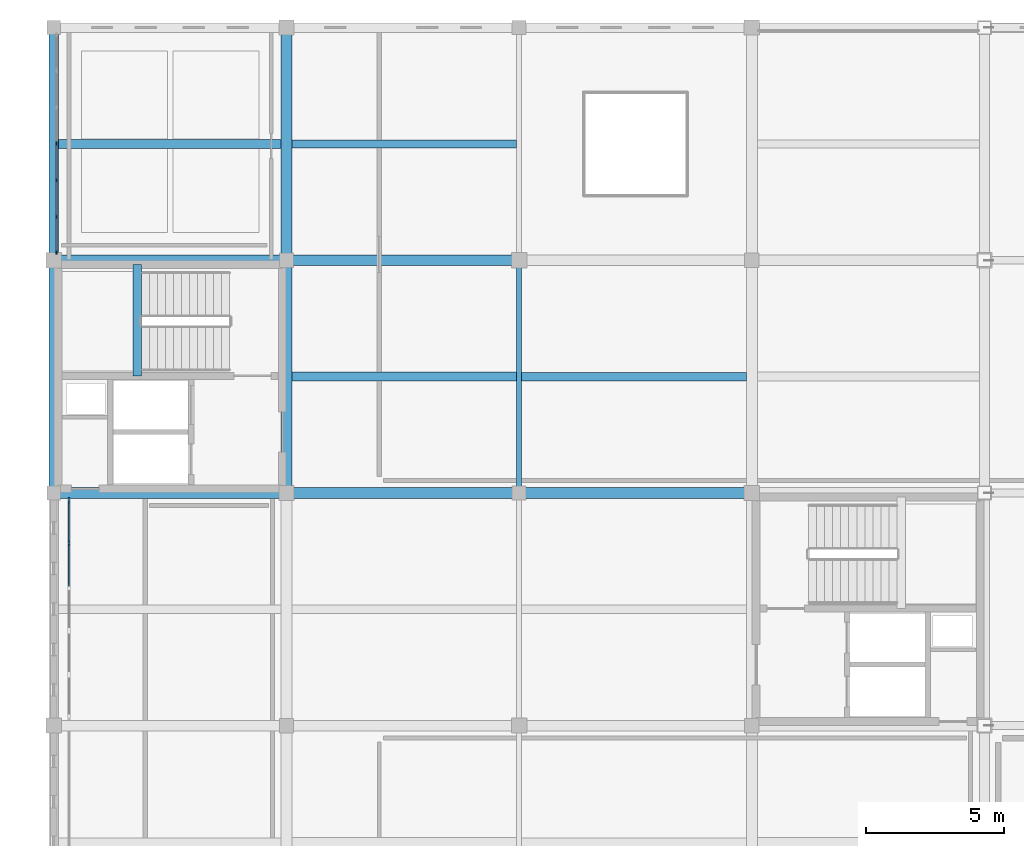
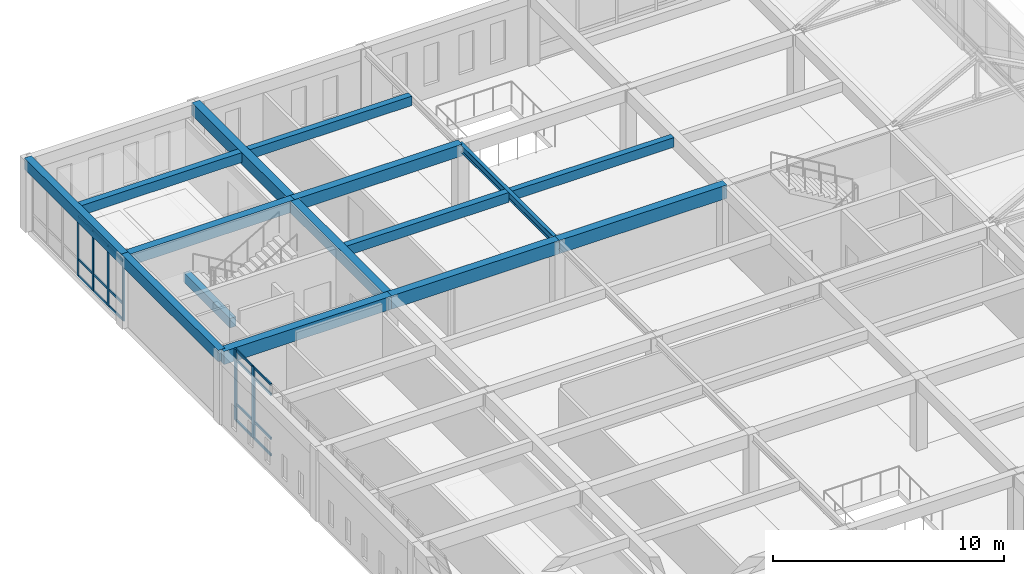
# One storey, part 14 of 36: 23 members, 15 beams, 2 elements without a shape of their own.
"""IFC4 building model written with IfcOpenShell, lengths in metres."""

from ifc_helpers import new_model, si_unit, direction, frame, origin, origin_2d, place, context, subcontext, project, spatial, rectangle, i_section, extrude, material, layer, layer_set, material_profile, profile_set, type_object, element, aggregate, save


model = new_model("IFC4")

# Units and contexts
model_context = context("Model", 3, precision=1e-05, world=origin(), true_north=direction((0.0, 1.0)))
body_context = subcontext(model_context, "Body", "Model", "MODEL_VIEW")
ifc_project = project(units=[si_unit("LENGTHUNIT", "METRE"), si_unit("AREAUNIT", "SQUARE_METRE"), si_unit("VOLUMEUNIT", "CUBIC_METRE"), si_unit("PLANEANGLEUNIT", "RADIAN"), si_unit("MASSUNIT", "GRAM", prefix="KILO")], contexts=[model_context])

# Site, building, storey
site_placement = place(None, origin())
site = spatial("IfcSite", under=ifc_project, at=site_placement, CompositionType="ELEMENT")
building_placement = place(site_placement, origin())
building = spatial("IfcBuilding", under=site, at=building_placement, Name="Kveldsbrygga Polytechnic", CompositionType="ELEMENT")
storey_placement = place(building_placement, frame((0.0, 0.0, 22.10009765625)))
storey = spatial("IfcBuildingStorey", under=building, at=storey_placement, Name="L05", CompositionType="ELEMENT", Elevation=22.10009765625)

# Beams
ifc_material_1 = material(Name="Concrete C35/45", Category="concrete")
ifc_material_profile_1 = material_profile(ifc_material_1, rectangle(XDim=0.3798828125, YDim=0.6201171875, at=origin_2d()), Name="RC 380x620")
ifc_profile_set_1 = profile_set([ifc_material_profile_1], Name="Concrete C35/45")
beam_type_1 = type_object("IfcBeamType", Name="BM-RC-380x620", PredefinedType="BEAM", material=ifc_profile_set_1)
beam_1_placement = place(storey_placement, frame((126.0, 92.39990234375, 3.469970703125), z_axis=(1.0, 0.0, 0.0), x_axis=(0.0, 1.0, 0.0)))
element("IfcBeam", 1, at=beam_1_placement, inside=storey, type_object=beam_type_1, Name="Primary Beam BMX-L05-15to16-11", PredefinedType="BEAM", context=body_context, shape_type="SweptSolid", body=[
    extrude(rectangle(XDim=0.3798828125, YDim=0.6201171875, at=origin_2d()), origin(), (0.0, 0.0, 1.0), 8.39990234375),
])
beam_2_placement = place(storey_placement, frame((134.39990234375, 92.39990234375, 3.469970703125), z_axis=(1.0, 0.0, 0.0), x_axis=(0.0, 1.0, 0.0)))
element("IfcBeam", 2, at=beam_2_placement, inside=storey, type_object=beam_type_1, Name="Primary Beam BMX-L05-16to17-11", PredefinedType="BEAM", context=body_context, shape_type="SweptSolid", body=[
    extrude(rectangle(XDim=0.3798828125, YDim=0.6201171875, at=origin_2d()), origin(), (0.0, 0.0, 1.0), 8.400146484375),
])
ifc_material_profile_2 = material_profile(ifc_material_1, rectangle(XDim=0.39990234375, YDim=0.64990234375, at=origin_2d()), Name="RC 400x650")
ifc_profile_set_2 = profile_set([ifc_material_profile_2], Name="Concrete C35/45")
beam_type_2 = type_object("IfcBeamType", Name="BM-RC-400x650", PredefinedType="BEAM", material=ifc_profile_set_2)
beam_3_placement = place(storey_placement, frame((134.39990234375, 84.0, 3.454833984375), z_axis=(0.0, 1.0, 0.0), x_axis=(-1.0, 0.0, 0.0)))
element("IfcBeam", 3, at=beam_3_placement, inside=storey, type_object=beam_type_2, Name="Primary Beam BMY-L05-16-10to11", PredefinedType="BEAM", context=body_context, shape_type="SweptSolid", body=[
    extrude(rectangle(XDim=0.39990234375, YDim=0.64990234375, at=origin_2d()), origin(), (0.0, 0.0, 1.0), 8.39990234375),
])
beam_4_placement = place(storey_placement, frame((134.39990234375, 92.39990234375, 3.454833984375), z_axis=(0.0, 1.0, 0.0), x_axis=(-1.0, 0.0, 0.0)))
element("IfcBeam", 4, at=beam_4_placement, inside=storey, type_object=beam_type_2, Name="Primary Beam BMY-L05-16-11to12", PredefinedType="BEAM", context=body_context, shape_type="SweptSolid", body=[
    extrude(rectangle(XDim=0.39990234375, YDim=0.64990234375, at=origin_2d()), origin(), (0.0, 0.0, 1.0), 8.400146484375),
])
ifc_material_profile_3 = material_profile(ifc_material_1, rectangle(XDim=0.39990234375, YDim=0.699951171875, at=origin_2d()), Name="RC 400x700")
ifc_profile_set_3 = profile_set([ifc_material_profile_3], Name="Concrete C35/45")
beam_type_3 = type_object("IfcBeamType", Name="BM-RC-400x700", PredefinedType="BEAM", material=ifc_profile_set_3)
beam_5_placement = place(storey_placement, frame((126.0, 84.0, 3.429931640625), z_axis=(1.0, 0.0, 0.0), x_axis=(0.0, 1.0, 0.0)))
element("IfcBeam", 5, at=beam_5_placement, inside=storey, type_object=beam_type_3, Name="Primary Beam BMX-L05-15to16-10", PredefinedType="BEAM", context=body_context, shape_type="SweptSolid", body=[
    extrude(rectangle(XDim=0.39990234375, YDim=0.699951171875, at=origin_2d()), origin(), (0.0, 0.0, 1.0), 8.39990234375),
])
beam_6_placement = place(storey_placement, frame((134.39990234375, 84.0, 3.429931640625), z_axis=(1.0, 0.0, 0.0), x_axis=(0.0, 1.0, 0.0)))
element("IfcBeam", 6, at=beam_6_placement, inside=storey, type_object=beam_type_3, Name="Primary Beam BMX-L05-16to17-10", PredefinedType="BEAM", context=body_context, shape_type="SweptSolid", body=[
    extrude(rectangle(XDim=0.39990234375, YDim=0.699951171875, at=origin_2d()), origin(), (0.0, 0.0, 1.0), 8.400146484375),
])
beam_7_placement = place(storey_placement, frame((142.800048828125, 84.0, 3.429931640625), z_axis=(1.0, 0.0, 0.0), x_axis=(0.0, 1.0, 0.0)))
element("IfcBeam", 7, at=beam_7_placement, inside=storey, type_object=beam_type_3, Name="Primary Beam BMX-L05-17to18-10", PredefinedType="BEAM", context=body_context, shape_type="SweptSolid", body=[
    extrude(rectangle(XDim=0.39990234375, YDim=0.699951171875, at=origin_2d()), origin(), (0.0, 0.0, 1.0), 8.39990234375),
])
ifc_material_profile_4 = material_profile(ifc_material_1, rectangle(XDim=0.35009765625, YDim=0.60009765625, at=origin_2d()), Name="RC 350x600")
ifc_profile_set_4 = profile_set([ifc_material_profile_4], Name="Concrete C35/45")
beam_type_4 = type_object("IfcBeamType", Name="BM-SPANDREL-600", PredefinedType="T_BEAM", material=ifc_profile_set_4)
beam_8_placement = place(storey_placement, frame((126.0, 84.0, 3.47998046875), z_axis=(0.0, 1.0, 0.0), x_axis=(-1.0, 0.0, 0.0)))
element("IfcBeam", 8, at=beam_8_placement, inside=storey, type_object=beam_type_4, Name="Primary Beam BMY-L05-15-10to11", PredefinedType="T_BEAM", context=body_context, shape_type="SweptSolid", body=[
    extrude(rectangle(XDim=0.35009765625, YDim=0.60009765625, at=origin_2d()), origin(), (0.0, 0.0, 1.0), 8.39990234375),
])
beam_9_placement = place(storey_placement, frame((126.0, 92.39990234375, 3.47998046875), z_axis=(0.0, 1.0, 0.0), x_axis=(-1.0, 0.0, 0.0)))
element("IfcBeam", 9, at=beam_9_placement, inside=storey, type_object=beam_type_4, Name="Primary Beam BMY-L05-15-11to12", PredefinedType="T_BEAM", context=body_context, shape_type="SweptSolid", body=[
    extrude(rectangle(XDim=0.35009765625, YDim=0.60009765625, at=origin_2d()), origin(), (0.0, 0.0, 1.0), 8.400146484375),
])
ifc_material_2 = material(Name="Steel S355", Category="steel")
ifc_material_profile_5 = material_profile(ifc_material_2, i_section(OverallWidth=0.179931640625, OverallDepth=0.39990234375, WebThickness=0.008544921875, FlangeThickness=0.013427734375, FilletRadius=0.02099609375, at=origin_2d()), Name="IPE 400")
ifc_profile_set_5 = profile_set([ifc_material_profile_5], Name="Steel S355")
beam_type_5 = type_object("IfcBeamType", Name="BM-STL-IPE400", PredefinedType="BEAM", material=ifc_profile_set_5)
beam_10_placement = place(storey_placement, frame((142.800048828125, 84.0, 3.579833984375), z_axis=(0.0, 1.0, 0.0), x_axis=(-1.0, 0.0, 0.0)))
element("IfcBeam", 10, at=beam_10_placement, inside=storey, type_object=beam_type_5, Name="Primary Beam BMY-L05-17-10to11", PredefinedType="BEAM", context=body_context, shape_type="SweptSolid", body=[
    extrude(i_section(OverallWidth=0.179931640625, OverallDepth=0.39990234375, WebThickness=0.008544921875, FlangeThickness=0.013427734375, FilletRadius=0.02099609375, at=origin_2d()), origin(), (0.0, 0.0, 1.0), 8.39990234375),
])

# Curtain wall, members
ifc_material_3 = material(Name="Anodised aluminium AW-6060", Category="aluminium")
ifc_layer_1 = layer(ifc_material_3, 0.179931640625)
ifc_layer_set_1 = layer_set([ifc_layer_1], Name="Anodised aluminium AW-6060")
curtain_wall_type_1 = type_object("IfcCurtainWallType", Name="CW-CONC-A", PredefinedType="USERDEFINED", material=ifc_layer_set_1)
curtain_wall_1_placement = place(storey_placement, origin())
curtain_wall_1 = element("IfcCurtainWall", 11, at=curtain_wall_1_placement, inside=storey, type_object=curtain_wall_type_1, Name="Curtain Wall CW-L05-Y-15-11", ObjectType="UNITISED CURTAIN WALL", PredefinedType="USERDEFINED")
ifc_material_profile_6 = material_profile(ifc_material_3, rectangle(XDim=0.06005859375, YDim=0.139892578125, at=origin_2d()), Name="ALU 60x140")
ifc_profile_set_6 = profile_set([ifc_material_profile_6], Name="Anodised aluminium AW-6060")
member_type_1 = type_object("IfcMemberType", Name="CW-MUL-140", PredefinedType="MULLION", material=ifc_profile_set_6)
member_1_placement = place(storey_placement, frame((126.10009765625, 92.68994140625, 0.0), z_axis=(0.0, 0.0, 1.0), x_axis=(-1.0, 0.0, 0.0)))
member_1 = element("IfcMember", 12, at=member_1_placement, type_object=member_type_1, Name="CW-01 mullion 1", PredefinedType="MULLION", context=body_context, shape_type="SweptSolid", body=[
    extrude(rectangle(XDim=0.06005859375, YDim=0.139892578125, at=origin_2d()), origin(), (0.0, 0.0, 1.0), 3.179931640625),
])
member_2_placement = place(storey_placement, frame((126.10009765625, 93.9775390625, 0.0), z_axis=(0.0, 0.0, 1.0), x_axis=(-1.0, 0.0, 0.0)))
member_2 = element("IfcMember", 13, at=member_2_placement, type_object=member_type_1, Name="CW-01 mullion 2", PredefinedType="MULLION", context=body_context, shape_type="SweptSolid", body=[
    extrude(rectangle(XDim=0.06005859375, YDim=0.139892578125, at=origin_2d()), origin(), (0.0, 0.0, 1.0), 3.179931640625),
])
member_3_placement = place(storey_placement, frame((126.10009765625, 95.294921875, 0.0), z_axis=(0.0, 0.0, 1.0), x_axis=(-1.0, 0.0, 0.0)))
member_3 = element("IfcMember", 14, at=member_3_placement, type_object=member_type_1, Name="CW-01 mullion 3", PredefinedType="MULLION", context=body_context, shape_type="SweptSolid", body=[
    extrude(rectangle(XDim=0.06005859375, YDim=0.139892578125, at=origin_2d()), origin(), (0.0, 0.0, 1.0), 3.179931640625),
])
member_4_placement = place(storey_placement, frame((126.10009765625, 96.612548828125, 0.0), z_axis=(0.0, 0.0, 1.0), x_axis=(-1.0, 0.0, 0.0)))
member_4 = element("IfcMember", 15, at=member_4_placement, type_object=member_type_1, Name="CW-01 mullion 4", PredefinedType="MULLION", context=body_context, shape_type="SweptSolid", body=[
    extrude(rectangle(XDim=0.06005859375, YDim=0.139892578125, at=origin_2d()), origin(), (0.0, 0.0, 1.0), 3.179931640625),
])

ifc_layer_2 = layer(ifc_material_3, 0.18994140625)
ifc_layer_set_2 = layer_set([ifc_layer_2], Name="Anodised aluminium AW-6060")
curtain_wall_type_2 = type_object("IfcCurtainWallType", Name="CW-REFC-G", PredefinedType="USERDEFINED", material=ifc_layer_set_2)
curtain_wall_2_placement = place(storey_placement, origin())
curtain_wall_2 = element("IfcCurtainWall", 16, at=curtain_wall_2_placement, inside=storey, type_object=curtain_wall_type_2, Name="Curtain Wall CW-L05-Y-15-09", ObjectType="UNITISED CURTAIN WALL", PredefinedType="USERDEFINED")
ifc_material_profile_7 = material_profile(ifc_material_3, rectangle(XDim=0.074951171875, YDim=0.199951171875, at=origin_2d()), Name="ALU 75x200")
ifc_profile_set_7 = profile_set([ifc_material_profile_7], Name="Anodised aluminium AW-6060")
member_type_2 = type_object("IfcMemberType", Name="CW-MUL-200", PredefinedType="MULLION", material=ifc_profile_set_7)
member_5_placement = place(storey_placement, frame((126.550048828125, 82.18408203125, 0.0), z_axis=(0.0, 0.0, 1.0), x_axis=(-1.0, 0.0, 0.0)))
member_5 = element("IfcMember", 17, at=member_5_placement, type_object=member_type_2, Name="CW-07 mullion 5", PredefinedType="MULLION", context=body_context, shape_type="SweptSolid", body=[
    extrude(rectangle(XDim=0.074951171875, YDim=0.199951171875, at=origin_2d()), origin(), (0.0, 0.0, 1.0), 3.77978515625),
])
member_6_placement = place(storey_placement, frame((126.550048828125, 83.7275390625, 0.0), z_axis=(0.0, 0.0, 1.0), x_axis=(-1.0, 0.0, 0.0)))
member_6 = element("IfcMember", 18, at=member_6_placement, type_object=member_type_2, Name="CW-07 mullion 6", PredefinedType="MULLION", context=body_context, shape_type="SweptSolid", body=[
    extrude(rectangle(XDim=0.074951171875, YDim=0.199951171875, at=origin_2d()), origin(), (0.0, 0.0, 1.0), 3.77978515625),
])
ifc_material_profile_8 = material_profile(ifc_material_3, rectangle(XDim=0.06005859375, YDim=0.1201171875, at=origin_2d()), Name="ALU 60x120")
ifc_profile_set_8 = profile_set([ifc_material_profile_8], Name="Anodised aluminium AW-6060")
member_type_3 = type_object("IfcMemberType", Name="CW-TRN-120", PredefinedType="USERDEFINED", material=ifc_profile_set_8)
member_7_placement = place(storey_placement, frame((126.550048828125, 80.640380859375, 0.02978515625), z_axis=(0.0, 1.0, 0.0), x_axis=(-1.0, 0.0, 0.0)))
member_7 = element("IfcMember", 19, at=member_7_placement, type_object=member_type_3, Name="CW-07 transom 4.1", ObjectType="TRANSOM", PredefinedType="USERDEFINED", context=body_context, shape_type="SweptSolid", body=[
    extrude(rectangle(XDim=0.06005859375, YDim=0.1201171875, at=origin_2d()), origin(), (0.0, 0.0, 1.0), 1.506103515625),
])
member_8_placement = place(storey_placement, frame((126.550048828125, 80.640380859375, 0.89990234375), z_axis=(0.0, 1.0, 0.0), x_axis=(-1.0, 0.0, 0.0)))
member_8 = element("IfcMember", 20, at=member_8_placement, type_object=member_type_3, Name="CW-07 transom 4.2", ObjectType="TRANSOM", PredefinedType="USERDEFINED", context=body_context, shape_type="SweptSolid", body=[
    extrude(rectangle(XDim=0.06005859375, YDim=0.1201171875, at=origin_2d()), origin(), (0.0, 0.0, 1.0), 1.506103515625),
])
member_9_placement = place(storey_placement, frame((126.550048828125, 80.640380859375, 3.22998046875), z_axis=(0.0, 1.0, 0.0), x_axis=(-1.0, 0.0, 0.0)))
member_9 = element("IfcMember", 21, at=member_9_placement, type_object=member_type_3, Name="CW-07 transom 4.3", ObjectType="TRANSOM", PredefinedType="USERDEFINED", context=body_context, shape_type="SweptSolid", body=[
    extrude(rectangle(XDim=0.06005859375, YDim=0.1201171875, at=origin_2d()), origin(), (0.0, 0.0, 1.0), 1.506103515625),
])
member_10_placement = place(storey_placement, frame((126.550048828125, 80.640380859375, 3.75), z_axis=(0.0, 1.0, 0.0), x_axis=(-1.0, 0.0, 0.0)))
member_10 = element("IfcMember", 22, at=member_10_placement, type_object=member_type_3, Name="CW-07 transom 4.4", ObjectType="TRANSOM", PredefinedType="USERDEFINED", context=body_context, shape_type="SweptSolid", body=[
    extrude(rectangle(XDim=0.06005859375, YDim=0.1201171875, at=origin_2d()), origin(), (0.0, 0.0, 1.0), 1.506103515625),
])
member_11_placement = place(storey_placement, frame((126.550048828125, 82.221435546875, 0.02978515625), z_axis=(0.0, 1.0, 0.0), x_axis=(-1.0, 0.0, 0.0)))
member_11 = element("IfcMember", 23, at=member_11_placement, type_object=member_type_3, Name="CW-07 transom 5.1", ObjectType="TRANSOM", PredefinedType="USERDEFINED", context=body_context, shape_type="SweptSolid", body=[
    extrude(rectangle(XDim=0.06005859375, YDim=0.1201171875, at=origin_2d()), origin(), (0.0, 0.0, 1.0), 1.468505859375),
])
member_12_placement = place(storey_placement, frame((126.550048828125, 82.221435546875, 0.89990234375), z_axis=(0.0, 1.0, 0.0), x_axis=(-1.0, 0.0, 0.0)))
member_12 = element("IfcMember", 24, at=member_12_placement, type_object=member_type_3, Name="CW-07 transom 5.2", ObjectType="TRANSOM", PredefinedType="USERDEFINED", context=body_context, shape_type="SweptSolid", body=[
    extrude(rectangle(XDim=0.06005859375, YDim=0.1201171875, at=origin_2d()), origin(), (0.0, 0.0, 1.0), 1.468505859375),
])
member_13_placement = place(storey_placement, frame((126.550048828125, 82.221435546875, 3.22998046875), z_axis=(0.0, 1.0, 0.0), x_axis=(-1.0, 0.0, 0.0)))
member_13 = element("IfcMember", 25, at=member_13_placement, type_object=member_type_3, Name="CW-07 transom 5.3", ObjectType="TRANSOM", PredefinedType="USERDEFINED", context=body_context, shape_type="SweptSolid", body=[
    extrude(rectangle(XDim=0.06005859375, YDim=0.1201171875, at=origin_2d()), origin(), (0.0, 0.0, 1.0), 1.468505859375),
])
member_14_placement = place(storey_placement, frame((126.550048828125, 82.221435546875, 3.75), z_axis=(0.0, 1.0, 0.0), x_axis=(-1.0, 0.0, 0.0)))
member_14 = element("IfcMember", 26, at=member_14_placement, type_object=member_type_3, Name="CW-07 transom 5.4", ObjectType="TRANSOM", PredefinedType="USERDEFINED", context=body_context, shape_type="SweptSolid", body=[
    extrude(rectangle(XDim=0.06005859375, YDim=0.1201171875, at=origin_2d()), origin(), (0.0, 0.0, 1.0), 1.468505859375),
])
aggregate(curtain_wall_2, [member_5, member_6, member_7, member_8, member_9, member_10, member_11, member_12, member_13, member_14])

# Member
member_15_placement = place(storey_placement, frame((126.10009765625, 92.719970703125, 0.02978515625), z_axis=(0.0, 1.0, 0.0), x_axis=(-1.0, 0.0, 0.0)))
member_15 = element("IfcMember", 27, at=member_15_placement, type_object=member_type_3, Name="CW-01 transom 1.1", ObjectType="TRANSOM", PredefinedType="USERDEFINED", context=body_context, shape_type="SweptSolid", body=[
    extrude(rectangle(XDim=0.06005859375, YDim=0.1201171875, at=origin_2d()), origin(), (0.0, 0.0, 1.0), 1.2275390625),
])

member_16_placement = place(storey_placement, frame((126.10009765625, 92.719970703125, 0.89990234375), z_axis=(0.0, 1.0, 0.0), x_axis=(-1.0, 0.0, 0.0)))
member_16 = element("IfcMember", 28, at=member_16_placement, type_object=member_type_3, Name="CW-01 transom 1.2", ObjectType="TRANSOM", PredefinedType="USERDEFINED", context=body_context, shape_type="SweptSolid", body=[
    extrude(rectangle(XDim=0.06005859375, YDim=0.1201171875, at=origin_2d()), origin(), (0.0, 0.0, 1.0), 1.2275390625),
])

member_17_placement = place(storey_placement, frame((126.10009765625, 92.719970703125, 3.14990234375), z_axis=(0.0, 1.0, 0.0), x_axis=(-1.0, 0.0, 0.0)))
member_17 = element("IfcMember", 29, at=member_17_placement, type_object=member_type_3, Name="CW-01 transom 1.3", ObjectType="TRANSOM", PredefinedType="USERDEFINED", context=body_context, shape_type="SweptSolid", body=[
    extrude(rectangle(XDim=0.06005859375, YDim=0.1201171875, at=origin_2d()), origin(), (0.0, 0.0, 1.0), 1.2275390625),
])

member_18_placement = place(storey_placement, frame((126.10009765625, 94.007568359375, 0.02978515625), z_axis=(0.0, 1.0, 0.0), x_axis=(-1.0, 0.0, 0.0)))
member_18 = element("IfcMember", 30, at=member_18_placement, type_object=member_type_3, Name="CW-01 transom 2.1", ObjectType="TRANSOM", PredefinedType="USERDEFINED", context=body_context, shape_type="SweptSolid", body=[
    extrude(rectangle(XDim=0.06005859375, YDim=0.1201171875, at=origin_2d()), origin(), (0.0, 0.0, 1.0), 1.25732421875),
])

member_19_placement = place(storey_placement, frame((126.10009765625, 94.007568359375, 0.89990234375), z_axis=(0.0, 1.0, 0.0), x_axis=(-1.0, 0.0, 0.0)))
member_19 = element("IfcMember", 31, at=member_19_placement, type_object=member_type_3, Name="CW-01 transom 2.2", ObjectType="TRANSOM", PredefinedType="USERDEFINED", context=body_context, shape_type="SweptSolid", body=[
    extrude(rectangle(XDim=0.06005859375, YDim=0.1201171875, at=origin_2d()), origin(), (0.0, 0.0, 1.0), 1.25732421875),
])

member_20_placement = place(storey_placement, frame((126.10009765625, 94.007568359375, 3.14990234375), z_axis=(0.0, 1.0, 0.0), x_axis=(-1.0, 0.0, 0.0)))
member_20 = element("IfcMember", 32, at=member_20_placement, type_object=member_type_3, Name="CW-01 transom 2.3", ObjectType="TRANSOM", PredefinedType="USERDEFINED", context=body_context, shape_type="SweptSolid", body=[
    extrude(rectangle(XDim=0.06005859375, YDim=0.1201171875, at=origin_2d()), origin(), (0.0, 0.0, 1.0), 1.25732421875),
])

member_21_placement = place(storey_placement, frame((126.10009765625, 95.324951171875, 0.02978515625), z_axis=(0.0, 1.0, 0.0), x_axis=(-1.0, 0.0, 0.0)))
member_21 = element("IfcMember", 33, at=member_21_placement, type_object=member_type_3, Name="CW-01 transom 3.1", ObjectType="TRANSOM", PredefinedType="USERDEFINED", context=body_context, shape_type="SweptSolid", body=[
    extrude(rectangle(XDim=0.06005859375, YDim=0.1201171875, at=origin_2d()), origin(), (0.0, 0.0, 1.0), 1.257568359375),
])

member_22_placement = place(storey_placement, frame((126.10009765625, 95.324951171875, 0.89990234375), z_axis=(0.0, 1.0, 0.0), x_axis=(-1.0, 0.0, 0.0)))
member_22 = element("IfcMember", 34, at=member_22_placement, type_object=member_type_3, Name="CW-01 transom 3.2", ObjectType="TRANSOM", PredefinedType="USERDEFINED", context=body_context, shape_type="SweptSolid", body=[
    extrude(rectangle(XDim=0.06005859375, YDim=0.1201171875, at=origin_2d()), origin(), (0.0, 0.0, 1.0), 1.257568359375),
])

member_23_placement = place(storey_placement, frame((126.10009765625, 95.324951171875, 3.14990234375), z_axis=(0.0, 1.0, 0.0), x_axis=(-1.0, 0.0, 0.0)))
member_23 = element("IfcMember", 35, at=member_23_placement, type_object=member_type_3, Name="CW-01 transom 3.3", ObjectType="TRANSOM", PredefinedType="USERDEFINED", context=body_context, shape_type="SweptSolid", body=[
    extrude(rectangle(XDim=0.06005859375, YDim=0.1201171875, at=origin_2d()), origin(), (0.0, 0.0, 1.0), 1.257568359375),
])

aggregate(curtain_wall_1, [member_1, member_2, member_3, member_4, member_15, member_16, member_17, member_18, member_19, member_20, member_21, member_22, member_23])

# Beams
ifc_material_profile_9 = material_profile(ifc_material_1, rectangle(XDim=0.300048828125, YDim=0.5, at=origin_2d()), Name="RC 300x500")
ifc_profile_set_9 = profile_set([ifc_material_profile_9], Name="Concrete C35/45")
beam_type_6 = type_object("IfcBeamType", Name="JST-RC-300x500", PredefinedType="JOIST", material=ifc_profile_set_9)
beam_11_placement = place(storey_placement, frame((134.60009765625, 96.60009765625, 3.52978515625), z_axis=(1.0, 0.0, 0.0), x_axis=(0.0, 1.0, 0.0)))
element("IfcBeam", 36, at=beam_11_placement, inside=storey, type_object=beam_type_6, Name="Secondary Joist JST-L05-16-11", PredefinedType="JOIST", context=body_context, shape_type="SweptSolid", body=[
    extrude(rectangle(XDim=0.300048828125, YDim=0.5, at=origin_2d()), origin(), (0.0, 0.0, 1.0), 8.10986328125),
])
beam_12_placement = place(storey_placement, frame((142.889892578125, 88.199951171875, 3.52978515625), z_axis=(1.0, 0.0, 0.0), x_axis=(0.0, 1.0, 0.0)))
element("IfcBeam", 37, at=beam_12_placement, inside=storey, type_object=beam_type_6, Name="Secondary Joist JST-L05-17-10", PredefinedType="JOIST", context=body_context, shape_type="SweptSolid", body=[
    extrude(rectangle(XDim=0.300048828125, YDim=0.5, at=origin_2d()), origin(), (0.0, 0.0, 1.0), 8.110107421875),
])
ifc_material_profile_10 = material_profile(ifc_material_1, rectangle(XDim=0.320068359375, YDim=0.52001953125, at=origin_2d()), Name="RC 320x520")
ifc_profile_set_10 = profile_set([ifc_material_profile_10], Name="Concrete C35/45")
beam_type_7 = type_object("IfcBeamType", Name="JST-RC-320x520", PredefinedType="JOIST", material=ifc_profile_set_10)
beam_13_placement = place(storey_placement, frame((126.175048828125, 96.60009765625, 3.52001953125), z_axis=(1.0, 0.0, 0.0), x_axis=(0.0, 1.0, 0.0)))
element("IfcBeam", 38, at=beam_13_placement, inside=storey, type_object=beam_type_7, Name="Secondary Joist JST-L05-15-11", PredefinedType="JOIST", context=body_context, shape_type="SweptSolid", body=[
    extrude(rectangle(XDim=0.320068359375, YDim=0.52001953125, at=origin_2d()), origin(), (0.0, 0.0, 1.0), 8.02490234375),
])
beam_14_placement = place(storey_placement, frame((134.60009765625, 88.199951171875, 3.52001953125), z_axis=(1.0, 0.0, 0.0), x_axis=(0.0, 1.0, 0.0)))
element("IfcBeam", 39, at=beam_14_placement, inside=storey, type_object=beam_type_7, Name="Secondary Joist JST-L05-16-10", PredefinedType="JOIST", context=body_context, shape_type="SweptSolid", body=[
    extrude(rectangle(XDim=0.320068359375, YDim=0.52001953125, at=origin_2d()), origin(), (0.0, 0.0, 1.0), 8.10986328125),
])
ifc_material_profile_11 = material_profile(ifc_material_1, rectangle(XDim=0.300048828125, YDim=0.5, at=origin_2d()), Name="RC 300x500")
ifc_profile_set_11 = profile_set([ifc_material_profile_11], Name="Concrete C35/45")
beam_type_8 = type_object("IfcBeamType", Name="LNT-RC-300x500", PredefinedType="LINTEL", material=ifc_profile_set_11)
beam_15_placement = place(storey_placement, frame((129.010009765625, 88.22998046875, 1.58984375), z_axis=(0.0, 1.0, 0.0), x_axis=(-1.0, 0.0, 0.0)))
element("IfcBeam", 40, at=beam_15_placement, inside=storey, type_object=beam_type_8, Name="Stair Landing Support Beam C2-L05-LNDB-1-1", PredefinedType="LINTEL", context=body_context, shape_type="SweptSolid", body=[
    extrude(rectangle(XDim=0.300048828125, YDim=0.5, at=origin_2d()), origin(), (0.0, 0.0, 1.0), 4.02001953125),
])

save(model, "model.ifc")
